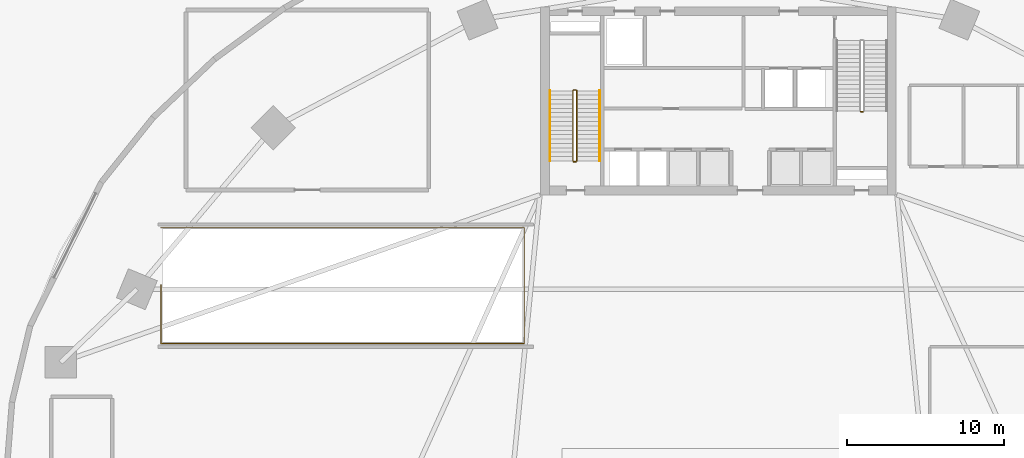
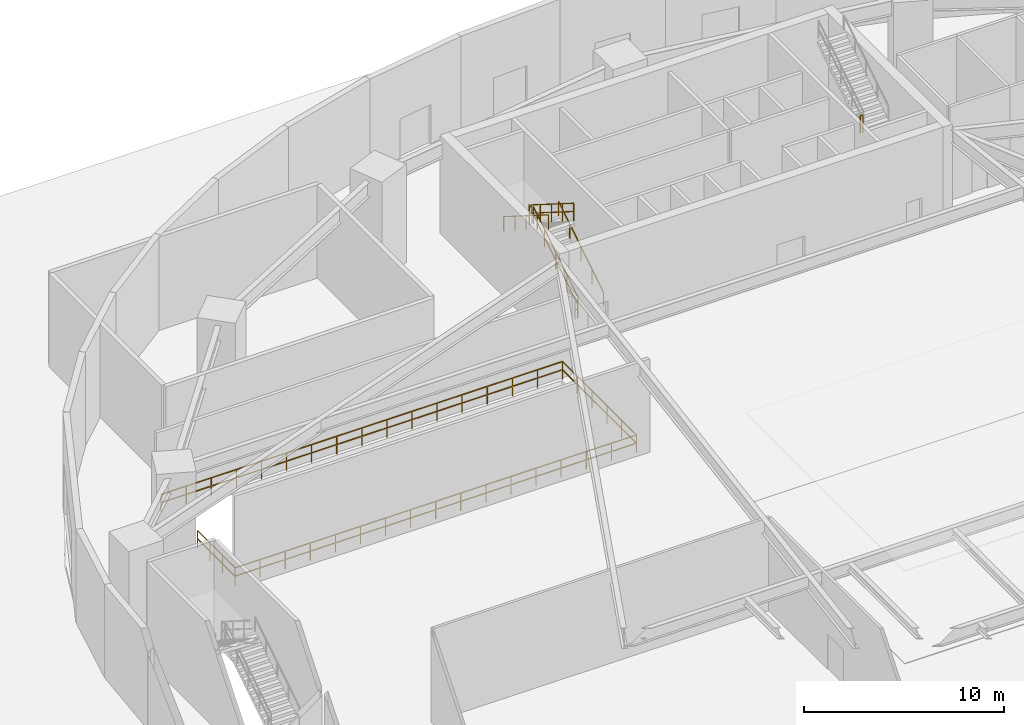
# One storey, part 12 of 14: 8 railings.
"""IFC4 building model written with IfcOpenShell, lengths in metres."""

from ifc_helpers import new_model, si_unit, direction, frame, origin, origin_2d, place, context, subcontext, project, spatial, rectangle, extrude, material, type_object, element, save


model = new_model("IFC4")

# Units and contexts
model_context = context("Model", 3, precision=1e-05, world=origin(), true_north=direction((0.0, 1.0)))
body_context = subcontext(model_context, "Body", "Model", "MODEL_VIEW")
ifc_project = project(units=[si_unit("LENGTHUNIT", "METRE"), si_unit("AREAUNIT", "SQUARE_METRE"), si_unit("VOLUMEUNIT", "CUBIC_METRE"), si_unit("PLANEANGLEUNIT", "RADIAN"), si_unit("MASSUNIT", "GRAM", prefix="KILO")], contexts=[model_context])

# Site, building, storey
site_placement = place(None, origin())
site = spatial("IfcSite", under=ifc_project, at=site_placement, CompositionType="ELEMENT")
building_placement = place(site_placement, origin())
building = spatial("IfcBuilding", under=site, at=building_placement, Name="Breltana Convention Tower", CompositionType="ELEMENT")
storey_placement = place(building_placement, origin())
storey = spatial("IfcBuildingStorey", under=building, at=storey_placement, Name="L00", CompositionType="ELEMENT", Elevation=0.0)

# Railings
ifc_material_1 = material(Name="Steel S275 Painted", Category="steel")
railing_type_1 = type_object("IfcRailingType", Name="RL-STAIR-GUARD-1100", PredefinedType="GUARDRAIL", material=ifc_material_1)
railing_1_placement = place(storey_placement, frame((38.9599609375, 62.360107421875, 0.176513671875)))
element("IfcRailing", 1, at=railing_1_placement, inside=storey, type_object=railing_type_1, Name="L00 ST-1 stair guard 1", PredefinedType="GUARDRAIL", context=body_context, shape_type="SweptSolid", body=[
    extrude(rectangle(XDim=0.048095703125, YDim=0.048095703125, at=origin_2d()), frame((0.0, 0.0, 1.076171875), z_axis=(0.0, 0.845997938375, 0.533186166611), x_axis=(-1.0, 0.0, 0.0)), (0.0, 0.0, 1.0), 5.29541015625),
    extrude(rectangle(XDim=0.048095703125, YDim=0.048095703125, at=origin_2d()), frame((0.0, 0.0, 0.572021484375), z_axis=(0.0, 0.845997938375, 0.533186166611), x_axis=(-1.0, 0.0, 0.0)), (0.0, 0.0, 1.0), 5.29541015625),
    extrude(rectangle(XDim=0.0419921875, YDim=0.0419921875, at=origin_2d()), origin(), (0.0, 0.0, 1.0), 1.052001953125),
    extrude(rectangle(XDim=0.0419921875, YDim=0.0419921875, at=origin_2d()), frame((0.0, 1.1201171875, 0.705810546875)), (0.0, 0.0, 1.0), 1.052001953125),
    extrude(rectangle(XDim=0.0419921875, YDim=0.0419921875, at=origin_2d()), frame((0.0, 2.239990234375, 1.41162109375)), (0.0, 0.0, 1.0), 1.052001953125),
    extrude(rectangle(XDim=0.0419921875, YDim=0.0419921875, at=origin_2d()), frame((0.0, 3.35986328125, 2.11767578125)), (0.0, 0.0, 1.0), 1.052001953125),
    extrude(rectangle(XDim=0.0419921875, YDim=0.0419921875, at=origin_2d()), frame((0.0, 4.47998046875, 2.823486328125)), (0.0, 0.0, 1.0), 1.052001953125),
])
railing_2_placement = place(storey_placement, frame((38.909912109375, 66.889892578125, 3.0)))
element("IfcRailing", 2, at=railing_2_placement, inside=storey, type_object=railing_type_1, Name="L00 ST-1 stair guard 2", PredefinedType="GUARDRAIL", context=body_context, shape_type="SweptSolid", body=[
    extrude(rectangle(XDim=0.048095703125, YDim=0.048095703125, at=origin_2d()), frame((0.0, 0.0, 1.076171875), z_axis=(-1.0, 0.0, 0.0), x_axis=(0.0, -1.0, 0.0)), (0.0, 0.0, 1.0), 0.14990234375),
    extrude(rectangle(XDim=0.048095703125, YDim=0.048095703125, at=origin_2d()), frame((0.0, 0.0, 0.572021484375), z_axis=(-1.0, 0.0, 0.0), x_axis=(0.0, -1.0, 0.0)), (0.0, 0.0, 1.0), 0.14990234375),
    extrude(rectangle(XDim=0.0419921875, YDim=0.0419921875, at=origin_2d()), origin(), (0.0, 0.0, 1.0), 1.052001953125),
    extrude(rectangle(XDim=0.0419921875, YDim=0.0419921875, at=origin_2d()), frame((-0.14990234375, 0.0, 0.0)), (0.0, 0.0, 1.0), 1.052001953125),
])
railing_3_placement = place(storey_placement, frame((38.7099609375, 66.840087890625, 3.176513671875)))
element("IfcRailing", 3, at=railing_3_placement, inside=storey, type_object=railing_type_1, Name="L00 ST-1 stair guard 3", PredefinedType="GUARDRAIL", context=body_context, shape_type="SweptSolid", body=[
    extrude(rectangle(XDim=0.048095703125, YDim=0.048095703125, at=origin_2d()), frame((0.0, 0.0, 1.076171875), z_axis=(0.0, -0.845997938375, 0.533186166611), x_axis=(1.0, 0.0, 0.0)), (0.0, 0.0, 1.0), 5.29541015625),
    extrude(rectangle(XDim=0.048095703125, YDim=0.048095703125, at=origin_2d()), frame((0.0, 0.0, 0.572021484375), z_axis=(0.0, -0.845997938375, 0.533186166611), x_axis=(1.0, 0.0, 0.0)), (0.0, 0.0, 1.0), 5.29541015625),
    extrude(rectangle(XDim=0.0419921875, YDim=0.0419921875, at=origin_2d()), origin(), (0.0, 0.0, 1.0), 1.052001953125),
    extrude(rectangle(XDim=0.0419921875, YDim=0.0419921875, at=origin_2d()), frame((0.0, -1.1201171875, 0.705810546875)), (0.0, 0.0, 1.0), 1.052001953125),
    extrude(rectangle(XDim=0.0419921875, YDim=0.0419921875, at=origin_2d()), frame((0.0, -2.239990234375, 1.41162109375)), (0.0, 0.0, 1.0), 1.052001953125),
    extrude(rectangle(XDim=0.0419921875, YDim=0.0419921875, at=origin_2d()), frame((0.0, -3.35986328125, 2.11767578125)), (0.0, 0.0, 1.0), 1.052001953125),
    extrude(rectangle(XDim=0.0419921875, YDim=0.0419921875, at=origin_2d()), frame((0.0, -4.47998046875, 2.823486328125)), (0.0, 0.0, 1.0), 1.052001953125),
])
railing_4_placement = place(storey_placement, frame((38.909912109375, 62.31005859375, 0.0)))
element("IfcRailing", 4, at=railing_4_placement, inside=storey, type_object=railing_type_1, Name="L00 ST-1 stair guard 4", PredefinedType="GUARDRAIL", context=body_context, shape_type="SweptSolid", body=[
    extrude(rectangle(XDim=0.048095703125, YDim=0.048095703125, at=origin_2d()), frame((0.0, 0.0, 1.076171875), z_axis=(-1.0, 0.0, 0.0), x_axis=(0.0, -1.0, 0.0)), (0.0, 0.0, 1.0), 0.14990234375),
    extrude(rectangle(XDim=0.048095703125, YDim=0.048095703125, at=origin_2d()), frame((0.0, 0.0, 0.572021484375), z_axis=(-1.0, 0.0, 0.0), x_axis=(0.0, -1.0, 0.0)), (0.0, 0.0, 1.0), 0.14990234375),
    extrude(rectangle(XDim=0.0419921875, YDim=0.0419921875, at=origin_2d()), origin(), (0.0, 0.0, 1.0), 1.052001953125),
    extrude(rectangle(XDim=0.0419921875, YDim=0.0419921875, at=origin_2d()), frame((-0.14990234375, 0.0, 0.0)), (0.0, 0.0, 1.0), 1.052001953125),
])
railing_5_placement = place(storey_placement, frame((57.090087890625, 65.510009765625, 3.0)))
element("IfcRailing", 5, at=railing_5_placement, inside=storey, type_object=railing_type_1, Name="L00 ST-2 stair guard 2", PredefinedType="GUARDRAIL", context=body_context, shape_type="SweptSolid", body=[
    extrude(rectangle(XDim=0.048095703125, YDim=0.048095703125, at=origin_2d()), frame((0.0, 0.0, 1.076171875), z_axis=(1.0, 0.0, 0.0), x_axis=(0.0, 1.0, 0.0)), (0.0, 0.0, 1.0), 0.14990234375),
    extrude(rectangle(XDim=0.048095703125, YDim=0.048095703125, at=origin_2d()), frame((0.0, 0.0, 0.572021484375), z_axis=(1.0, 0.0, 0.0), x_axis=(0.0, 1.0, 0.0)), (0.0, 0.0, 1.0), 0.14990234375),
    extrude(rectangle(XDim=0.0419921875, YDim=0.0419921875, at=origin_2d()), origin(), (0.0, 0.0, 1.0), 1.052001953125),
    extrude(rectangle(XDim=0.0419921875, YDim=0.0419921875, at=origin_2d()), frame((0.14990234375, 0.0, 0.0)), (0.0, 0.0, 1.0), 1.052001953125),
])
railing_6_placement = place(storey_placement, frame((12.39990234375, 54.449951171875, 0.0)))
element("IfcRailing", 6, at=railing_6_placement, inside=storey, type_object=railing_type_1, Name="L00 ramp opening perimeter guardrail", PredefinedType="GUARDRAIL", context=body_context, shape_type="SweptSolid", body=[
    extrude(rectangle(XDim=0.048095703125, YDim=0.048095703125, at=origin_2d()), frame((0.0, 0.0, 1.076171875), z_axis=(0.0, -1.0, 0.0), x_axis=(1.0, 0.0, 0.0)), (0.0, 0.0, 1.0), 3.75),
    extrude(rectangle(XDim=0.048095703125, YDim=0.048095703125, at=origin_2d()), frame((0.0, 0.0, 0.572021484375), z_axis=(0.0, -1.0, 0.0), x_axis=(1.0, 0.0, 0.0)), (0.0, 0.0, 1.0), 3.75),
    extrude(rectangle(XDim=0.048095703125, YDim=0.048095703125, at=origin_2d()), frame((0.0, -3.75, 1.076171875), z_axis=(1.0, 0.0, 0.0), x_axis=(0.0, 1.0, 0.0)), (0.0, 0.0, 1.0), 23.2001953125),
    extrude(rectangle(XDim=0.048095703125, YDim=0.048095703125, at=origin_2d()), frame((0.0, -3.75, 0.572021484375), z_axis=(1.0, 0.0, 0.0), x_axis=(0.0, 1.0, 0.0)), (0.0, 0.0, 1.0), 23.2001953125),
    extrude(rectangle(XDim=0.048095703125, YDim=0.048095703125, at=origin_2d()), frame((23.2001953125, -3.75, 1.076171875), z_axis=(0.0, 1.0, 0.0), x_axis=(-1.0, 0.0, 0.0)), (0.0, 0.0, 1.0), 7.400146484375),
    extrude(rectangle(XDim=0.048095703125, YDim=0.048095703125, at=origin_2d()), frame((23.2001953125, -3.75, 0.572021484375), z_axis=(0.0, 1.0, 0.0), x_axis=(-1.0, 0.0, 0.0)), (0.0, 0.0, 1.0), 7.400146484375),
    extrude(rectangle(XDim=0.048095703125, YDim=0.048095703125, at=origin_2d()), frame((23.2001953125, 3.650146484375, 1.076171875), z_axis=(-1.0, 0.0, 0.0), x_axis=(0.0, -1.0, 0.0)), (0.0, 0.0, 1.0), 23.2001953125),
    extrude(rectangle(XDim=0.048095703125, YDim=0.048095703125, at=origin_2d()), frame((23.2001953125, 3.650146484375, 0.572021484375), z_axis=(-1.0, 0.0, 0.0), x_axis=(0.0, -1.0, 0.0)), (0.0, 0.0, 1.0), 23.2001953125),
    extrude(rectangle(XDim=0.0419921875, YDim=0.0419921875, at=origin_2d()), origin(), (0.0, 0.0, 1.0), 1.052001953125),
    extrude(rectangle(XDim=0.0419921875, YDim=0.0419921875, at=origin_2d()), frame((0.0, -1.25, 0.0)), (0.0, 0.0, 1.0), 1.052001953125),
    extrude(rectangle(XDim=0.0419921875, YDim=0.0419921875, at=origin_2d()), frame((0.0, -2.5, 0.0)), (0.0, 0.0, 1.0), 1.052001953125),
    extrude(rectangle(XDim=0.0419921875, YDim=0.0419921875, at=origin_2d()), frame((0.0, -3.75, 0.0)), (0.0, 0.0, 1.0), 1.052001953125),
    extrude(rectangle(XDim=0.0419921875, YDim=0.0419921875, at=origin_2d()), frame((1.449951171875, -3.75, 0.0)), (0.0, 0.0, 1.0), 1.052001953125),
    extrude(rectangle(XDim=0.0419921875, YDim=0.0419921875, at=origin_2d()), frame((2.89990234375, -3.75, 0.0)), (0.0, 0.0, 1.0), 1.052001953125),
    extrude(rectangle(XDim=0.0419921875, YDim=0.0419921875, at=origin_2d()), frame((4.35009765625, -3.75, 0.0)), (0.0, 0.0, 1.0), 1.052001953125),
    extrude(rectangle(XDim=0.0419921875, YDim=0.0419921875, at=origin_2d()), frame((5.800048828125, -3.75, 0.0)), (0.0, 0.0, 1.0), 1.052001953125),
    extrude(rectangle(XDim=0.0419921875, YDim=0.0419921875, at=origin_2d()), frame((7.25, -3.75, 0.0)), (0.0, 0.0, 1.0), 1.052001953125),
    extrude(rectangle(XDim=0.0419921875, YDim=0.0419921875, at=origin_2d()), frame((8.7001953125, -3.75, 0.0)), (0.0, 0.0, 1.0), 1.052001953125),
    extrude(rectangle(XDim=0.0419921875, YDim=0.0419921875, at=origin_2d()), frame((10.150146484375, -3.75, 0.0)), (0.0, 0.0, 1.0), 1.052001953125),
    extrude(rectangle(XDim=0.0419921875, YDim=0.0419921875, at=origin_2d()), frame((11.60009765625, -3.75, 0.0)), (0.0, 0.0, 1.0), 1.052001953125),
    extrude(rectangle(XDim=0.0419921875, YDim=0.0419921875, at=origin_2d()), frame((13.050048828125, -3.75, 0.0)), (0.0, 0.0, 1.0), 1.052001953125),
    extrude(rectangle(XDim=0.0419921875, YDim=0.0419921875, at=origin_2d()), frame((14.5, -3.75, 0.0)), (0.0, 0.0, 1.0), 1.052001953125),
    extrude(rectangle(XDim=0.0419921875, YDim=0.0419921875, at=origin_2d()), frame((15.9501953125, -3.75, 0.0)), (0.0, 0.0, 1.0), 1.052001953125),
    extrude(rectangle(XDim=0.0419921875, YDim=0.0419921875, at=origin_2d()), frame((17.400146484375, -3.75, 0.0)), (0.0, 0.0, 1.0), 1.052001953125),
    extrude(rectangle(XDim=0.0419921875, YDim=0.0419921875, at=origin_2d()), frame((18.85009765625, -3.75, 0.0)), (0.0, 0.0, 1.0), 1.052001953125),
    extrude(rectangle(XDim=0.0419921875, YDim=0.0419921875, at=origin_2d()), frame((20.30029296875, -3.75, 0.0)), (0.0, 0.0, 1.0), 1.052001953125),
    extrude(rectangle(XDim=0.0419921875, YDim=0.0419921875, at=origin_2d()), frame((21.750244140625, -3.75, 0.0)), (0.0, 0.0, 1.0), 1.052001953125),
    extrude(rectangle(XDim=0.0419921875, YDim=0.0419921875, at=origin_2d()), frame((23.2001953125, -3.75, 0.0)), (0.0, 0.0, 1.0), 1.052001953125),
    extrude(rectangle(XDim=0.0419921875, YDim=0.0419921875, at=origin_2d()), frame((23.2001953125, -2.27001953125, 0.0)), (0.0, 0.0, 1.0), 1.052001953125),
    extrude(rectangle(XDim=0.0419921875, YDim=0.0419921875, at=origin_2d()), frame((23.2001953125, -0.7900390625, 0.0)), (0.0, 0.0, 1.0), 1.052001953125),
    extrude(rectangle(XDim=0.0419921875, YDim=0.0419921875, at=origin_2d()), frame((23.2001953125, 0.690185546875, 0.0)), (0.0, 0.0, 1.0), 1.052001953125),
    extrude(rectangle(XDim=0.0419921875, YDim=0.0419921875, at=origin_2d()), frame((23.2001953125, 2.170166015625, 0.0)), (0.0, 0.0, 1.0), 1.052001953125),
    extrude(rectangle(XDim=0.0419921875, YDim=0.0419921875, at=origin_2d()), frame((23.2001953125, 3.650146484375, 0.0)), (0.0, 0.0, 1.0), 1.052001953125),
    extrude(rectangle(XDim=0.0419921875, YDim=0.0419921875, at=origin_2d()), frame((21.750244140625, 3.650146484375, 0.0)), (0.0, 0.0, 1.0), 1.052001953125),
    extrude(rectangle(XDim=0.0419921875, YDim=0.0419921875, at=origin_2d()), frame((20.30029296875, 3.650146484375, 0.0)), (0.0, 0.0, 1.0), 1.052001953125),
    extrude(rectangle(XDim=0.0419921875, YDim=0.0419921875, at=origin_2d()), frame((18.85009765625, 3.650146484375, 0.0)), (0.0, 0.0, 1.0), 1.052001953125),
    extrude(rectangle(XDim=0.0419921875, YDim=0.0419921875, at=origin_2d()), frame((17.400146484375, 3.650146484375, 0.0)), (0.0, 0.0, 1.0), 1.052001953125),
    extrude(rectangle(XDim=0.0419921875, YDim=0.0419921875, at=origin_2d()), frame((15.9501953125, 3.650146484375, 0.0)), (0.0, 0.0, 1.0), 1.052001953125),
    extrude(rectangle(XDim=0.0419921875, YDim=0.0419921875, at=origin_2d()), frame((14.5, 3.650146484375, 0.0)), (0.0, 0.0, 1.0), 1.052001953125),
    extrude(rectangle(XDim=0.0419921875, YDim=0.0419921875, at=origin_2d()), frame((13.050048828125, 3.650146484375, 0.0)), (0.0, 0.0, 1.0), 1.052001953125),
    extrude(rectangle(XDim=0.0419921875, YDim=0.0419921875, at=origin_2d()), frame((11.60009765625, 3.650146484375, 0.0)), (0.0, 0.0, 1.0), 1.052001953125),
    extrude(rectangle(XDim=0.0419921875, YDim=0.0419921875, at=origin_2d()), frame((10.150146484375, 3.650146484375, 0.0)), (0.0, 0.0, 1.0), 1.052001953125),
    extrude(rectangle(XDim=0.0419921875, YDim=0.0419921875, at=origin_2d()), frame((8.7001953125, 3.650146484375, 0.0)), (0.0, 0.0, 1.0), 1.052001953125),
    extrude(rectangle(XDim=0.0419921875, YDim=0.0419921875, at=origin_2d()), frame((7.25, 3.650146484375, 0.0)), (0.0, 0.0, 1.0), 1.052001953125),
    extrude(rectangle(XDim=0.0419921875, YDim=0.0419921875, at=origin_2d()), frame((5.800048828125, 3.650146484375, 0.0)), (0.0, 0.0, 1.0), 1.052001953125),
    extrude(rectangle(XDim=0.0419921875, YDim=0.0419921875, at=origin_2d()), frame((4.35009765625, 3.650146484375, 0.0)), (0.0, 0.0, 1.0), 1.052001953125),
    extrude(rectangle(XDim=0.0419921875, YDim=0.0419921875, at=origin_2d()), frame((2.89990234375, 3.650146484375, 0.0)), (0.0, 0.0, 1.0), 1.052001953125),
    extrude(rectangle(XDim=0.0419921875, YDim=0.0419921875, at=origin_2d()), frame((1.449951171875, 3.650146484375, 0.0)), (0.0, 0.0, 1.0), 1.052001953125),
    extrude(rectangle(XDim=0.0419921875, YDim=0.0419921875, at=origin_2d()), frame((0.0, 3.650146484375, 0.0)), (0.0, 0.0, 1.0), 1.052001953125),
])
ifc_material_2 = material(Name="Stainless Steel 316L", Category="steel")
railing_type_2 = type_object("IfcRailingType", Name="RL-STAIR-HANDRAIL-900", PredefinedType="HANDRAIL", material=ifc_material_2)
railing_7_placement = place(storey_placement, frame((40.419921875, 62.360107421875, 0.176513671875)))
element("IfcRailing", 7, at=railing_7_placement, inside=storey, type_object=railing_type_2, Name="L00 ST-1 stair handrail 1", PredefinedType="HANDRAIL", context=body_context, shape_type="SweptSolid", body=[
    extrude(rectangle(XDim=0.048095703125, YDim=0.048095703125, at=origin_2d()), frame((0.0, 0.0, 0.8759765625), z_axis=(0.0, 0.845997938375, 0.533186166611), x_axis=(-1.0, 0.0, 0.0)), (0.0, 0.0, 1.0), 5.29541015625),
    extrude(rectangle(XDim=0.0419921875, YDim=0.0419921875, at=origin_2d()), origin(), (0.0, 0.0, 1.0), 0.851806640625),
    extrude(rectangle(XDim=0.0419921875, YDim=0.0419921875, at=origin_2d()), frame((0.0, 1.1201171875, 0.705810546875)), (0.0, 0.0, 1.0), 0.851806640625),
    extrude(rectangle(XDim=0.0419921875, YDim=0.0419921875, at=origin_2d()), frame((0.0, 2.239990234375, 1.41162109375)), (0.0, 0.0, 1.0), 0.851806640625),
    extrude(rectangle(XDim=0.0419921875, YDim=0.0419921875, at=origin_2d()), frame((0.0, 3.35986328125, 2.11767578125)), (0.0, 0.0, 1.0), 0.851806640625),
    extrude(rectangle(XDim=0.0419921875, YDim=0.0419921875, at=origin_2d()), frame((0.0, 4.47998046875, 2.823486328125)), (0.0, 0.0, 1.0), 0.851806640625),
])
railing_8_placement = place(storey_placement, frame((37.25, 66.840087890625, 3.176513671875)))
element("IfcRailing", 8, at=railing_8_placement, inside=storey, type_object=railing_type_2, Name="L00 ST-1 stair handrail 2", PredefinedType="HANDRAIL", context=body_context, shape_type="SweptSolid", body=[
    extrude(rectangle(XDim=0.048095703125, YDim=0.048095703125, at=origin_2d()), frame((0.0, 0.0, 0.8759765625), z_axis=(0.0, -0.845997938375, 0.533186166611), x_axis=(1.0, 0.0, 0.0)), (0.0, 0.0, 1.0), 5.29541015625),
    extrude(rectangle(XDim=0.0419921875, YDim=0.0419921875, at=origin_2d()), origin(), (0.0, 0.0, 1.0), 0.851806640625),
    extrude(rectangle(XDim=0.0419921875, YDim=0.0419921875, at=origin_2d()), frame((0.0, -1.1201171875, 0.705810546875)), (0.0, 0.0, 1.0), 0.851806640625),
    extrude(rectangle(XDim=0.0419921875, YDim=0.0419921875, at=origin_2d()), frame((0.0, -2.239990234375, 1.41162109375)), (0.0, 0.0, 1.0), 0.851806640625),
    extrude(rectangle(XDim=0.0419921875, YDim=0.0419921875, at=origin_2d()), frame((0.0, -3.35986328125, 2.11767578125)), (0.0, 0.0, 1.0), 0.851806640625),
    extrude(rectangle(XDim=0.0419921875, YDim=0.0419921875, at=origin_2d()), frame((0.0, -4.47998046875, 2.823486328125)), (0.0, 0.0, 1.0), 0.851806640625),
])

save(model, "model.ifc")
